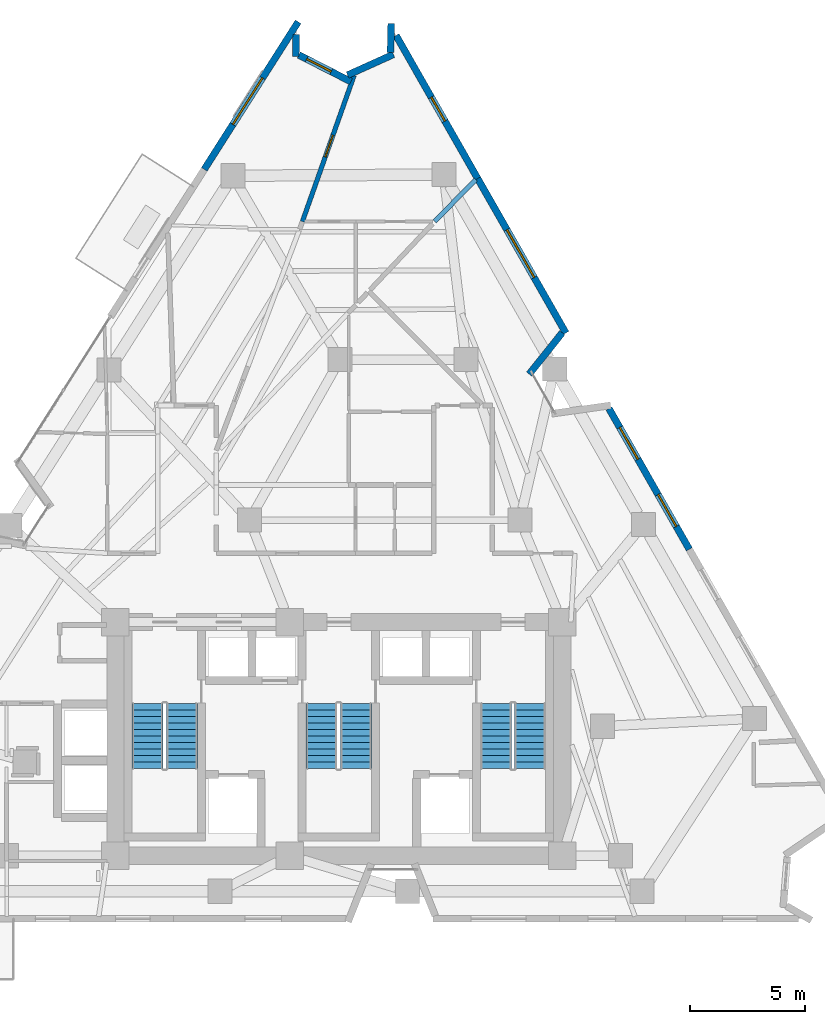
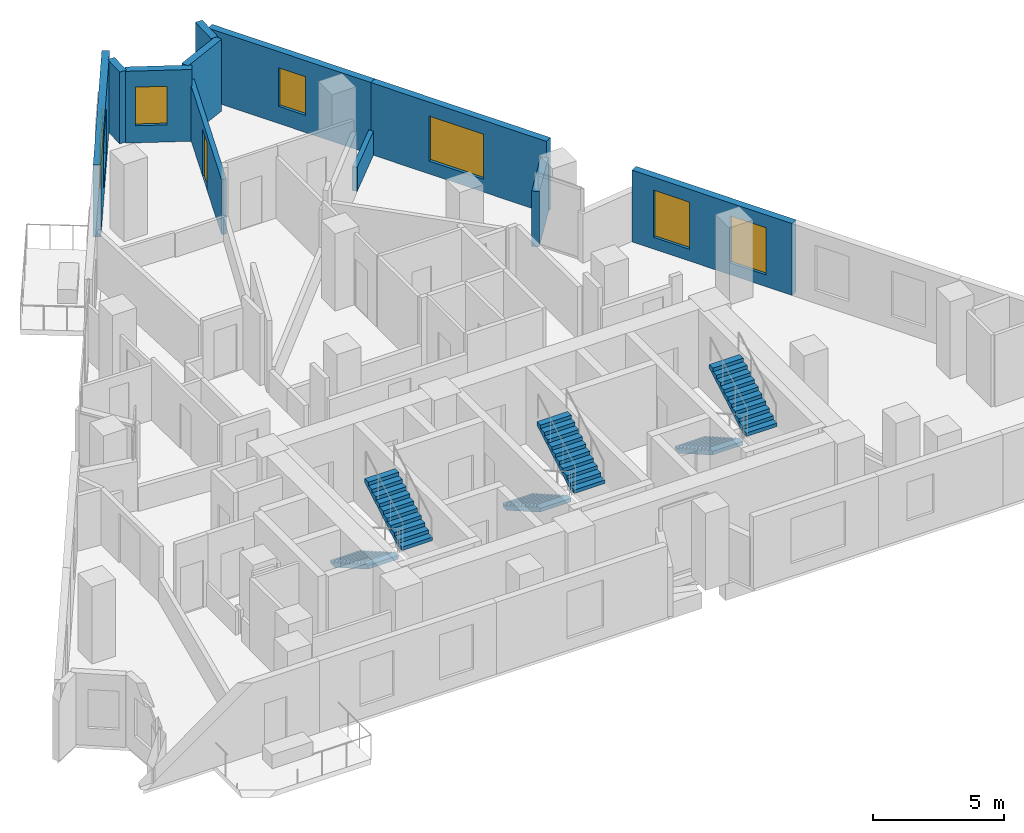
# One storey, part 9 of 11: 11 walls, 6 stair flights, 6 windows, 1 door, 7 openings, 3 elements without a shape of their own.
"""IFC4 building model written with IfcOpenShell, lengths in metres."""

from ifc_helpers import new_model, si_unit, direction, frame, frame_2d, origin, place, context, subcontext, project, spatial, polyline, rectangle, outline, extrude, material, layer, layer_set, type_object, element, fill, aggregate, save


model = new_model("IFC4")

# Units and contexts
model_context = context("Model", 3, precision=1e-05, world=origin(), true_north=direction((0.0, 1.0)))
body_context = subcontext(model_context, "Body", "Model", "MODEL_VIEW")
ifc_project = project(units=[si_unit("LENGTHUNIT", "METRE"), si_unit("AREAUNIT", "SQUARE_METRE"), si_unit("VOLUMEUNIT", "CUBIC_METRE"), si_unit("PLANEANGLEUNIT", "RADIAN"), si_unit("MASSUNIT", "GRAM", prefix="KILO")], contexts=[model_context])

# Site, building, storey
site_placement = place(None, origin())
site = spatial("IfcSite", under=ifc_project, at=site_placement, CompositionType="ELEMENT")
building_placement = place(site_placement, origin())
building = spatial("IfcBuilding", under=site, at=building_placement, Name="Almagre Mirador Tower", CompositionType="ELEMENT")
storey_placement = place(building_placement, frame((0.0, 0.0, 150.0)))
storey = spatial("IfcBuildingStorey", under=building, at=storey_placement, Name="L38", CompositionType="ELEMENT", Elevation=150.0)

# Wall, opening, window
ifc_material_1 = material(Name="Precast concrete C50/60", Category="concrete")
ifc_layer_1 = layer(ifc_material_1, 0.300048828125)
ifc_layer_set_1 = layer_set([ifc_layer_1], Name="Precast concrete C50/60")
wall_type_1 = type_object("IfcWallType", Name="WAL-EXT-300", PredefinedType="SOLIDWALL", material=ifc_layer_set_1)
wall_1_placement = place(storey_placement, frame((31.427001953125, 34.506591796875, 0.0), z_axis=(0.0, 0.0, 1.0), x_axis=(0.537111444199, 0.843511290091, 0.0)))
wall_1 = element("IfcWall", 1, at=wall_1_placement, inside=storey, type_object=wall_type_1, Name="L38 expressed almagre precast frame wall 04", PredefinedType="SOLIDWALL", context=body_context, shape_type="SweptSolid", body=[
    extrude(rectangle(XDim=7.6318359375, YDim=0.300048828125, at=frame_2d((3.81591796875, 0.0))), origin(), (0.0, 0.0, 1.0), 3.35009765625),
])
opening_1_placement = place(wall_1_placement, frame((2.324951171875, 0.0, 0.60009765625)))
opening_1 = element("IfcOpeningElement", 2, at=opening_1_placement, cuts=wall_1, Name="Opening WN-02", PredefinedType="OPENING", context=body_context, shape_type="SweptSolid", body=[
    extrude(rectangle(XDim=2.39990234375, YDim=2.10009765625, at=frame_2d((1.199951171875, 1.050048828125))), frame((0.0, 0.159902, 0.0), z_axis=(0.0, -1.0, 0.0), x_axis=(1.0, 0.0, 0.0)), (0.0, 0.0, 1.0), 0.320049),
])
ifc_material_2 = material(Name="Dark solar-control laminated hurricane glass", Category="glass")
window_type_1 = type_object("IfcWindowType", Name="WIN-2400X2100", PartitioningType="TRIPLE_PANEL_VERTICAL", PredefinedType="WINDOW", material=ifc_material_2)
window_1_placement = place(opening_1_placement, origin())
window_1 = element("IfcWindow", 3, at=window_1_placement, inside=storey, type_object=window_type_1, Name="L38 recessed hurricane window L38-UK-KT", OverallHeight=2.10009765625, OverallWidth=2.39990234375, PartitioningType="SINGLE_PANEL", PredefinedType="WINDOW", context=body_context, shape_type="SweptSolid", body=[
    extrude(rectangle(XDim=2.39990234375, YDim=2.10009765625, at=frame_2d((1.199951171875, 1.050048828125))), frame((0.0, 0.030029296875, 0.0), z_axis=(0.0, -1.0, 0.0), x_axis=(1.0, 0.0, 0.0)), (0.0, 0.0, 1.0), 0.06005859375),
])
fill(opening_1, window_1)

# Wall
wall_2_placement = place(storey_placement, frame((35.440673828125, 40.39111328125, 0.0), z_axis=(0.0, 0.0, 1.0), x_axis=(-0.023772687739, -0.999717389725, 0.0)))
element("IfcWall", 4, at=wall_2_placement, inside=storey, type_object=wall_type_1, Name="L38 expressed almagre precast frame wall 05", PredefinedType="SOLIDWALL", context=body_context, shape_type="SweptSolid", body=[
    extrude(rectangle(XDim=0.96533203125, YDim=0.300048828125, at=frame_2d((0.482666015625, 0.0))), origin(), (0.0, 0.0, 1.0), 3.35009765625),
])

# Wall, opening, window
wall_3_placement = place(storey_placement, frame((35.550048828125, 39.5, 0.0), z_axis=(0.0, 0.0, 1.0), x_axis=(0.890380498149, -0.455217056486, 0.0)))
wall_3 = element("IfcWall", 5, at=wall_3_placement, inside=storey, type_object=wall_type_1, Name="L38 expressed almagre precast frame wall 06", PredefinedType="SOLIDWALL", context=body_context, shape_type="SweptSolid", body=[
    extrude(rectangle(XDim=2.556640625, YDim=0.300048828125, at=frame_2d((1.2783203125, 0.0))), origin(), (0.0, 0.0, 1.0), 3.35009765625),
])
opening_2_placement = place(wall_3_placement, frame((0.389892578125, 0.0, 0.800048828125)))
opening_2 = element("IfcOpeningElement", 6, at=opening_2_placement, cuts=wall_3, Name="Opening WN-04", PredefinedType="OPENING", context=body_context, shape_type="SweptSolid", body=[
    extrude(rectangle(XDim=1.199951171875, YDim=1.800048828125, at=frame_2d((0.60009765625, 0.89990234375))), frame((0.0, 0.159902, 0.0), z_axis=(0.0, -1.0, 0.0), x_axis=(1.0, 0.0, 0.0)), (0.0, 0.0, 1.0), 0.320049),
])
ifc_material_3 = material(Name="Dark solar-control laminated hurricane glass", Category="glass")
window_type_2 = type_object("IfcWindowType", Name="WIN-1200X1800", PartitioningType="SINGLE_PANEL", PredefinedType="WINDOW", material=ifc_material_3)
window_2_placement = place(opening_2_placement, origin())
window_2 = element("IfcWindow", 7, at=window_2_placement, inside=storey, type_object=window_type_2, Name="L38 recessed hurricane window L38-UK-KT", OverallHeight=1.800048828125, OverallWidth=1.199951171875, PartitioningType="SINGLE_PANEL", PredefinedType="WINDOW", context=body_context, shape_type="SweptSolid", body=[
    extrude(rectangle(XDim=1.199951171875, YDim=1.800048828125, at=frame_2d((0.60009765625, 0.89990234375))), frame((0.0, 0.030029296875, 0.0), z_axis=(0.0, -1.0, 0.0), x_axis=(1.0, 0.0, 0.0)), (0.0, 0.0, 1.0), 0.06005859375),
])
fill(opening_2, window_2)

# Walls
wall_4_placement = place(storey_placement, frame((37.681640625, 38.620849609375, 0.0), z_axis=(0.0, 0.0, 1.0), x_axis=(0.911287044452, 0.411771687486, 0.0)))
element("IfcWall", 8, at=wall_4_placement, inside=storey, type_object=wall_type_1, Name="L38 expressed almagre precast frame wall 07", PredefinedType="SOLIDWALL", context=body_context, shape_type="SweptSolid", body=[
    extrude(rectangle(XDim=2.192626953125, YDim=0.300048828125, at=frame_2d((1.09619140625, 0.0))), origin(), (0.0, 0.0, 1.0), 3.35009765625),
])
wall_5_placement = place(storey_placement, frame((39.5556640625, 39.61083984375, 0.0), z_axis=(0.0, 0.0, 1.0), x_axis=(0.024501492699, 0.999699793366, 0.0)))
element("IfcWall", 9, at=wall_5_placement, inside=storey, type_object=wall_type_1, Name="L38 expressed almagre precast frame wall 08", PredefinedType="SOLIDWALL", context=body_context, shape_type="SweptSolid", body=[
    extrude(rectangle(XDim=1.255615234375, YDim=0.300048828125, at=frame_2d((0.6279296875, 0.0))), origin(), (0.0, 0.0, 1.0), 3.35009765625),
])

# Wall, opening, window
wall_6_placement = place(storey_placement, frame((39.796142578125, 40.3525390625, 0.0), z_axis=(0.0, 0.0, 1.0), x_axis=(0.495663635242, -0.86851457138, 0.0)))
wall_6 = element("IfcWall", 10, at=wall_6_placement, inside=storey, type_object=wall_type_1, Name="L38 expressed almagre precast frame wall 09", PredefinedType="SOLIDWALL", context=body_context, shape_type="SweptSolid", body=[
    extrude(rectangle(XDim=7.192138671875, YDim=0.300048828125, at=frame_2d((3.59619140625, 0.0))), origin(), (0.0, 0.0, 1.0), 3.35009765625),
])
opening_3_placement = place(wall_6_placement, frame((3.10498046875, 0.0, 0.800048828125)))
opening_3 = element("IfcOpeningElement", 11, at=opening_3_placement, cuts=wall_6, Name="Opening WN-04", PredefinedType="OPENING", context=body_context, shape_type="SweptSolid", body=[
    extrude(rectangle(XDim=1.199951171875, YDim=1.800048828125, at=frame_2d((0.60009765625, 0.89990234375))), frame((0.0, 0.159902, 0.0), z_axis=(0.0, -1.0, 0.0), x_axis=(1.0, 0.0, 0.0)), (0.0, 0.0, 1.0), 0.320049),
])
window_3_placement = place(opening_3_placement, origin())
window_3 = element("IfcWindow", 12, at=window_3_placement, inside=storey, type_object=window_type_2, Name="L38 recessed hurricane window L38-UL-ST", OverallHeight=1.800048828125, OverallWidth=1.199951171875, PartitioningType="SINGLE_PANEL", PredefinedType="WINDOW", context=body_context, shape_type="SweptSolid", body=[
    extrude(rectangle(XDim=1.199951171875, YDim=1.800048828125, at=frame_2d((0.60009765625, 0.89990234375))), frame((0.0, 0.030029296875, 0.0), z_axis=(0.0, -1.0, 0.0), x_axis=(1.0, 0.0, 0.0)), (0.0, 0.0, 1.0), 0.06005859375),
])
fill(opening_3, window_3)

wall_7_placement = place(storey_placement, frame((43.361083984375, 34.10595703125, 0.0), z_axis=(0.0, 0.0, 1.0), x_axis=(0.495668037993, -0.868512058703, 0.0)))
wall_7 = element("IfcWall", 13, at=wall_7_placement, inside=storey, type_object=wall_type_1, Name="L38 expressed almagre precast frame wall 10", PredefinedType="SOLIDWALL", context=body_context, shape_type="SweptSolid", body=[
    extrude(rectangle(XDim=7.761962890625, YDim=0.300048828125, at=frame_2d((3.880859375, 0.0))), origin(), (0.0, 0.0, 1.0), 3.35009765625),
])
opening_4_placement = place(wall_7_placement, frame((2.574951171875, 0.0, 0.60009765625)))
opening_4 = element("IfcOpeningElement", 14, at=opening_4_placement, cuts=wall_7, Name="Opening WN-02", PredefinedType="OPENING", context=body_context, shape_type="SweptSolid", body=[
    extrude(rectangle(XDim=2.39990234375, YDim=2.10009765625, at=frame_2d((1.199951171875, 1.050048828125))), frame((0.0, 0.159902, 0.0), z_axis=(0.0, -1.0, 0.0), x_axis=(1.0, 0.0, 0.0)), (0.0, 0.0, 1.0), 0.320049),
])
window_4_placement = place(opening_4_placement, origin())
window_4 = element("IfcWindow", 15, at=window_4_placement, inside=storey, type_object=window_type_1, Name="L38 recessed hurricane window L38-RST-J", OverallHeight=2.10009765625, OverallWidth=2.39990234375, PartitioningType="SINGLE_PANEL", PredefinedType="WINDOW", context=body_context, shape_type="SweptSolid", body=[
    extrude(rectangle(XDim=2.39990234375, YDim=2.10009765625, at=frame_2d((1.199951171875, 1.050048828125))), frame((0.0, 0.030029296875, 0.0), z_axis=(0.0, -1.0, 0.0), x_axis=(1.0, 0.0, 0.0)), (0.0, 0.0, 1.0), 0.06005859375),
])
fill(opening_4, window_4)

# Wall
wall_8_placement = place(storey_placement, frame((47.051513671875, 27.376708984375, 0.0), z_axis=(0.0, 0.0, 1.0), x_axis=(-0.623742147588, -0.781630176825, 0.0)))
element("IfcWall", 16, at=wall_8_placement, inside=storey, type_object=wall_type_1, Name="L38 expressed almagre precast frame wall 11", PredefinedType="SOLIDWALL", context=body_context, shape_type="SweptSolid", body=[
    extrude(rectangle(XDim=2.313232421875, YDim=0.300048828125, at=frame_2d((1.15673828125, 0.0))), origin(), (0.0, 0.0, 1.0), 2.574951171875),
])

# Wall, openings, windows
wall_9_placement = place(storey_placement, frame((49.08984375, 24.06884765625, 0.0), z_axis=(0.0, 0.0, 1.0), x_axis=(0.495704199243, -0.868491420137, 0.0)))
wall_9 = element("IfcWall", 17, at=wall_9_placement, inside=storey, type_object=wall_type_1, Name="L38 expressed almagre precast frame wall 13", PredefinedType="SOLIDWALL", context=body_context, shape_type="SweptSolid", body=[
    extrude(rectangle(XDim=7.076904296875, YDim=0.300048828125, at=frame_2d((3.53857421875, 0.0))), origin(), (0.0, 0.0, 1.0), 3.35009765625),
])
opening_5_placement = place(wall_9_placement, frame((4.324951171875, 0.0, 0.550048828125)))
opening_5 = element("IfcOpeningElement", 18, at=opening_5_placement, cuts=wall_9, Name="Opening WN-06", PredefinedType="OPENING", context=body_context, shape_type="SweptSolid", body=[
    extrude(rectangle(XDim=1.60009765625, YDim=2.199951171875, at=frame_2d((0.800048828125, 1.10009765625))), frame((0.0, 0.159902, 0.0), z_axis=(0.0, -1.0, 0.0), x_axis=(1.0, 0.0, 0.0)), (0.0, 0.0, 1.0), 0.320049),
])
opening_6_placement = place(wall_9_placement, frame((0.949951171875, 0.0, 0.550048828125)))
opening_6 = element("IfcOpeningElement", 19, at=opening_6_placement, cuts=wall_9, Name="Opening WN-06", PredefinedType="OPENING", context=body_context, shape_type="SweptSolid", body=[
    extrude(rectangle(XDim=1.60009765625, YDim=2.199951171875, at=frame_2d((0.800048828125, 1.10009765625))), frame((0.0, 0.159902, 0.0), z_axis=(0.0, -1.0, 0.0), x_axis=(1.0, 0.0, 0.0)), (0.0, 0.0, 1.0), 0.320049),
])
ifc_material_4 = material(Name="Dark solar-control laminated hurricane glass", Category="glass")
window_type_3 = type_object("IfcWindowType", Name="WIN-1600X2200", PartitioningType="DOUBLE_PANEL_VERTICAL", PredefinedType="WINDOW", material=ifc_material_4)
window_5_placement = place(opening_5_placement, origin())
window_5 = element("IfcWindow", 20, at=window_5_placement, inside=storey, type_object=window_type_3, Name="L38 recessed hurricane window L38-UE-LV", OverallHeight=2.199951171875, OverallWidth=1.60009765625, PartitioningType="SINGLE_PANEL", PredefinedType="WINDOW", context=body_context, shape_type="SweptSolid", body=[
    extrude(rectangle(XDim=1.60009765625, YDim=2.199951171875, at=frame_2d((0.800048828125, 1.10009765625))), frame((0.0, 0.030029296875, 0.0), z_axis=(0.0, -1.0, 0.0), x_axis=(1.0, 0.0, 0.0)), (0.0, 0.0, 1.0), 0.06005859375),
])
fill(opening_5, window_5)
window_6_placement = place(opening_6_placement, origin())
window_6 = element("IfcWindow", 21, at=window_6_placement, inside=storey, type_object=window_type_3, Name="L38 recessed hurricane window L38-RST-J", OverallHeight=2.199951171875, OverallWidth=1.60009765625, PartitioningType="SINGLE_PANEL", PredefinedType="WINDOW", context=body_context, shape_type="SweptSolid", body=[
    extrude(rectangle(XDim=1.60009765625, YDim=2.199951171875, at=frame_2d((0.800048828125, 1.10009765625))), frame((0.0, 0.030029296875, 0.0), z_axis=(0.0, -1.0, 0.0), x_axis=(1.0, 0.0, 0.0)), (0.0, 0.0, 1.0), 0.06005859375),
])
fill(opening_6, window_6)

# Wall
ifc_material_5 = material(Name="Gypsum acoustic stud partition", Category="other")
ifc_layer_2 = layer(ifc_material_5, 0.199951171875)
ifc_layer_set_2 = layer_set([ifc_layer_2], Name="Gypsum acoustic stud partition")
wall_type_2 = type_object("IfcWallType", Name="WAL-PRT-200-EI60", PredefinedType="PARTITIONING", material=ifc_layer_set_2)
wall_10_placement = place(storey_placement, frame((43.27587890625, 34.06396484375, 0.0), z_axis=(0.0, 0.0, 1.0), x_axis=(-0.699649070919, -0.714486653173, 0.0)))
element("IfcWall", 22, at=wall_10_placement, inside=storey, type_object=wall_type_2, Name="L38 interior partition 072", PredefinedType="PARTITIONING", context=body_context, shape_type="SweptSolid", body=[
    extrude(rectangle(XDim=2.56689453125, YDim=0.199951171875, at=frame_2d((1.283447265625, 0.0))), origin(), (0.0, 0.0, 1.0), 1.1201171875),
])

# Wall, opening, door
wall_11_placement = place(storey_placement, frame((35.7099609375, 32.22998046875, 0.0), z_axis=(0.0, 0.0, 1.0), x_axis=(0.333750909116, 0.942661302199, 0.0)))
wall_11 = element("IfcWall", 23, at=wall_11_placement, inside=storey, type_object=wall_type_2, Name="L38 interior partition 079", PredefinedType="PARTITIONING", context=body_context, shape_type="SweptSolid", body=[
    extrude(rectangle(XDim=6.7626953125, YDim=0.199951171875, at=frame_2d((3.38134765625, 0.0))), origin(), (0.0, 0.0, 1.0), 2.570068359375),
])
opening_7_placement = place(wall_11_placement, frame((2.992919921875, 0.0, 0.0)))
opening_7 = element("IfcOpeningElement", 24, at=opening_7_placement, cuts=wall_11, Name="Opening ID-01", PredefinedType="OPENING", context=body_context, shape_type="SweptSolid", body=[
    extrude(rectangle(XDim=1.0, YDim=2.199951171875, at=frame_2d((0.5, 1.10009765625))), frame((0.0, 0.110098, 0.0), z_axis=(0.0, -1.0, 0.0), x_axis=(1.0, 0.0, 0.0)), (0.0, 0.0, 1.0), 0.219951),
])
ifc_material_6 = material(Name="Fire-rated walnut timber", Category="wood")
door_type = type_object("IfcDoorType", Name="DOR-FD60-1000X2200", OperationType="NOTDEFINED", PredefinedType="DOOR", material=ifc_material_6)
door_placement = place(opening_7_placement, origin())
door = element("IfcDoor", 25, at=door_placement, inside=storey, type_object=door_type, Name="DR-1250 L38 interior door L38-UK-KT to L38-UL-ST", OperationType="SINGLE_SWING_RIGHT", OverallHeight=2.199951171875, OverallWidth=1.0, PredefinedType="DOOR", context=body_context, shape_type="SweptSolid", body=[
    extrude(rectangle(XDim=1.0, YDim=2.199951171875, at=frame_2d((0.5, 1.10009765625))), frame((0.0, 0.02490234375, 0.0), z_axis=(0.0, -1.0, 0.0), x_axis=(1.0, 0.0, 0.0)), (0.0, 0.0, 1.0), 0.050048828125),
])
fill(opening_7, door)

# Stair, stair flights
ifc_material_7 = material(Name="Concrete C45/55", Category="concrete")
stair_type = type_object("IfcStairType", Name="STR-DL-3600", PredefinedType="HALF_TURN_STAIR", material=ifc_material_7)
stair_1_placement = place(storey_placement, origin())
stair_1 = element("IfcStair", 26, at=stair_1_placement, inside=storey, type_object=stair_type, Name="L38 Protected exit stair ST-1", PredefinedType="HALF_TURN_STAIR")
ifc_material_8 = material(Name="Concrete C45/55", Category="concrete")
stair_flight_type = type_object("IfcStairFlightType", Name="FLT-DL-3600", PredefinedType="STRAIGHT", material=ifc_material_8)
stair_flight_1_placement = place(storey_placement, frame((28.949951171875, 11.199951171875, 0.0), z_axis=(0.0, 0.0, 1.0), x_axis=(0.0, -1.0, 0.0)))
stair_flight_1 = element("IfcStairFlight", 27, at=stair_flight_1_placement, type_object=stair_flight_type, Name="ST-1 flight 1", NumberOfRisers=11, NumberOfTreads=10, PredefinedType="STRAIGHT", RiserHeight=0.163636364, TreadLength=0.285, context=body_context, shape_type="SweptSolid", body=[
    extrude(outline(polyline([(0.0, 0.0), (0.0, 0.16357421875), (0.284912109375, 0.16357421875), (0.284912109375, 0.327392578125), (0.570068359375, 0.327392578125), (0.570068359375, 0.490966796875), (0.85498046875, 0.490966796875), (0.85498046875, 0.654541015625), (1.139892578125, 0.654541015625), (1.139892578125, 0.818115234375), (1.425048828125, 0.818115234375), (1.425048828125, 0.98193359375), (1.7099609375, 0.98193359375), (1.7099609375, 1.1455078125), (1.9951171875, 1.1455078125), (1.9951171875, 1.30908203125), (2.280029296875, 1.30908203125), (2.280029296875, 1.47265625), (2.56494140625, 1.47265625), (2.56494140625, 1.636474609375), (2.85009765625, 1.636474609375), (2.85009765625, 1.800048828125), (2.85009765625, 1.463623046875), (0.301025390625, 0.0), (0.0, 0.0)])), frame((0.0, 0.675048828125, 0.0), z_axis=(0.0, -1.0, 0.0), x_axis=(1.0, 0.0, 0.0)), (0.0, 0.0, 1.0), 1.35009765625),
])
stair_flight_2_placement = place(storey_placement, frame((30.449951171875, 8.35009765625, 1.800048828125), z_axis=(0.0, 0.0, 1.0), x_axis=(0.0, 1.0, 0.0)))
stair_flight_2 = element("IfcStairFlight", 28, at=stair_flight_2_placement, type_object=stair_flight_type, Name="ST-1 flight 2", NumberOfRisers=11, NumberOfTreads=10, PredefinedType="STRAIGHT", RiserHeight=0.163636364, TreadLength=0.285, context=body_context, shape_type="SweptSolid", body=[
    extrude(outline(polyline([(0.0, 0.0), (0.0, 0.16357421875), (0.284912109375, 0.16357421875), (0.284912109375, 0.327392578125), (0.570068359375, 0.327392578125), (0.570068359375, 0.490966796875), (0.85498046875, 0.490966796875), (0.85498046875, 0.654541015625), (1.139892578125, 0.654541015625), (1.139892578125, 0.818115234375), (1.425048828125, 0.818115234375), (1.425048828125, 0.98193359375), (1.7099609375, 0.98193359375), (1.7099609375, 1.1455078125), (1.9951171875, 1.1455078125), (1.9951171875, 1.30908203125), (2.280029296875, 1.30908203125), (2.280029296875, 1.47265625), (2.56494140625, 1.47265625), (2.56494140625, 1.636474609375), (2.85009765625, 1.636474609375), (2.85009765625, 1.800048828125), (2.85009765625, 1.463623046875), (0.301025390625, 0.0), (0.0, 0.0)])), frame((0.0, 0.675048828125, 0.0), z_axis=(0.0, -1.0, 0.0), x_axis=(1.0, 0.0, 0.0)), (0.0, 0.0, 1.0), 1.35009765625),
])
aggregate(stair_1, [stair_flight_1, stair_flight_2])

stair_2_placement = place(storey_placement, origin())
stair_2 = element("IfcStair", 29, at=stair_2_placement, inside=storey, type_object=stair_type, Name="L38 Protected exit stair ST-2", PredefinedType="HALF_TURN_STAIR")
stair_flight_3_placement = place(storey_placement, frame((36.550048828125, 11.199951171875, 0.0), z_axis=(0.0, 0.0, 1.0), x_axis=(0.0, -1.0, 0.0)))
stair_flight_3 = element("IfcStairFlight", 30, at=stair_flight_3_placement, type_object=stair_flight_type, Name="ST-2 flight 1", NumberOfRisers=11, NumberOfTreads=10, PredefinedType="STRAIGHT", RiserHeight=0.163636364, TreadLength=0.285, context=body_context, shape_type="SweptSolid", body=[
    extrude(outline(polyline([(0.0, 0.0), (0.0, 0.16357421875), (0.284912109375, 0.16357421875), (0.284912109375, 0.327392578125), (0.570068359375, 0.327392578125), (0.570068359375, 0.490966796875), (0.85498046875, 0.490966796875), (0.85498046875, 0.654541015625), (1.139892578125, 0.654541015625), (1.139892578125, 0.818115234375), (1.425048828125, 0.818115234375), (1.425048828125, 0.98193359375), (1.7099609375, 0.98193359375), (1.7099609375, 1.1455078125), (1.9951171875, 1.1455078125), (1.9951171875, 1.30908203125), (2.280029296875, 1.30908203125), (2.280029296875, 1.47265625), (2.56494140625, 1.47265625), (2.56494140625, 1.636474609375), (2.85009765625, 1.636474609375), (2.85009765625, 1.800048828125), (2.85009765625, 1.463623046875), (0.301025390625, 0.0), (0.0, 0.0)])), frame((0.0, 0.675048828125, 0.0), z_axis=(0.0, -1.0, 0.0), x_axis=(1.0, 0.0, 0.0)), (0.0, 0.0, 1.0), 1.35009765625),
])
stair_flight_4_placement = place(storey_placement, frame((38.050048828125, 8.35009765625, 1.800048828125), z_axis=(0.0, 0.0, 1.0), x_axis=(0.0, 1.0, 0.0)))
stair_flight_4 = element("IfcStairFlight", 31, at=stair_flight_4_placement, type_object=stair_flight_type, Name="ST-2 flight 2", NumberOfRisers=11, NumberOfTreads=10, PredefinedType="STRAIGHT", RiserHeight=0.163636364, TreadLength=0.285, context=body_context, shape_type="SweptSolid", body=[
    extrude(outline(polyline([(0.0, 0.0), (0.0, 0.16357421875), (0.284912109375, 0.16357421875), (0.284912109375, 0.327392578125), (0.570068359375, 0.327392578125), (0.570068359375, 0.490966796875), (0.85498046875, 0.490966796875), (0.85498046875, 0.654541015625), (1.139892578125, 0.654541015625), (1.139892578125, 0.818115234375), (1.425048828125, 0.818115234375), (1.425048828125, 0.98193359375), (1.7099609375, 0.98193359375), (1.7099609375, 1.1455078125), (1.9951171875, 1.1455078125), (1.9951171875, 1.30908203125), (2.280029296875, 1.30908203125), (2.280029296875, 1.47265625), (2.56494140625, 1.47265625), (2.56494140625, 1.636474609375), (2.85009765625, 1.636474609375), (2.85009765625, 1.800048828125), (2.85009765625, 1.463623046875), (0.301025390625, 0.0), (0.0, 0.0)])), frame((0.0, 0.675048828125, 0.0), z_axis=(0.0, -1.0, 0.0), x_axis=(1.0, 0.0, 0.0)), (0.0, 0.0, 1.0), 1.35009765625),
])
aggregate(stair_2, [stair_flight_3, stair_flight_4])

stair_3_placement = place(storey_placement, origin())
stair_3 = element("IfcStair", 32, at=stair_3_placement, inside=storey, type_object=stair_type, Name="L38 Protected exit stair ST-3", PredefinedType="HALF_TURN_STAIR")
stair_flight_5_placement = place(storey_placement, frame((44.14990234375, 11.199951171875, 0.0), z_axis=(0.0, 0.0, 1.0), x_axis=(0.0, -1.0, 0.0)))
stair_flight_5 = element("IfcStairFlight", 33, at=stair_flight_5_placement, type_object=stair_flight_type, Name="ST-3 flight 1", NumberOfRisers=11, NumberOfTreads=10, PredefinedType="STRAIGHT", RiserHeight=0.163636364, TreadLength=0.285, context=body_context, shape_type="SweptSolid", body=[
    extrude(outline(polyline([(0.0, 0.0), (0.0, 0.16357421875), (0.284912109375, 0.16357421875), (0.284912109375, 0.327392578125), (0.570068359375, 0.327392578125), (0.570068359375, 0.490966796875), (0.85498046875, 0.490966796875), (0.85498046875, 0.654541015625), (1.139892578125, 0.654541015625), (1.139892578125, 0.818115234375), (1.425048828125, 0.818115234375), (1.425048828125, 0.98193359375), (1.7099609375, 0.98193359375), (1.7099609375, 1.1455078125), (1.9951171875, 1.1455078125), (1.9951171875, 1.30908203125), (2.280029296875, 1.30908203125), (2.280029296875, 1.47265625), (2.56494140625, 1.47265625), (2.56494140625, 1.636474609375), (2.85009765625, 1.636474609375), (2.85009765625, 1.800048828125), (2.85009765625, 1.463623046875), (0.301025390625, 0.0), (0.0, 0.0)])), frame((0.0, 0.675048828125, 0.0), z_axis=(0.0, -1.0, 0.0), x_axis=(1.0, 0.0, 0.0)), (0.0, 0.0, 1.0), 1.35009765625),
])
stair_flight_6_placement = place(storey_placement, frame((45.64990234375, 8.35009765625, 1.800048828125), z_axis=(0.0, 0.0, 1.0), x_axis=(0.0, 1.0, 0.0)))
stair_flight_6 = element("IfcStairFlight", 34, at=stair_flight_6_placement, type_object=stair_flight_type, Name="ST-3 flight 2", NumberOfRisers=11, NumberOfTreads=10, PredefinedType="STRAIGHT", RiserHeight=0.163636364, TreadLength=0.285, context=body_context, shape_type="SweptSolid", body=[
    extrude(outline(polyline([(0.0, 0.0), (0.0, 0.16357421875), (0.284912109375, 0.16357421875), (0.284912109375, 0.327392578125), (0.570068359375, 0.327392578125), (0.570068359375, 0.490966796875), (0.85498046875, 0.490966796875), (0.85498046875, 0.654541015625), (1.139892578125, 0.654541015625), (1.139892578125, 0.818115234375), (1.425048828125, 0.818115234375), (1.425048828125, 0.98193359375), (1.7099609375, 0.98193359375), (1.7099609375, 1.1455078125), (1.9951171875, 1.1455078125), (1.9951171875, 1.30908203125), (2.280029296875, 1.30908203125), (2.280029296875, 1.47265625), (2.56494140625, 1.47265625), (2.56494140625, 1.636474609375), (2.85009765625, 1.636474609375), (2.85009765625, 1.800048828125), (2.85009765625, 1.463623046875), (0.301025390625, 0.0), (0.0, 0.0)])), frame((0.0, 0.675048828125, 0.0), z_axis=(0.0, -1.0, 0.0), x_axis=(1.0, 0.0, 0.0)), (0.0, 0.0, 1.0), 1.35009765625),
])
aggregate(stair_3, [stair_flight_5, stair_flight_6])

save(model, "model.ifc")
